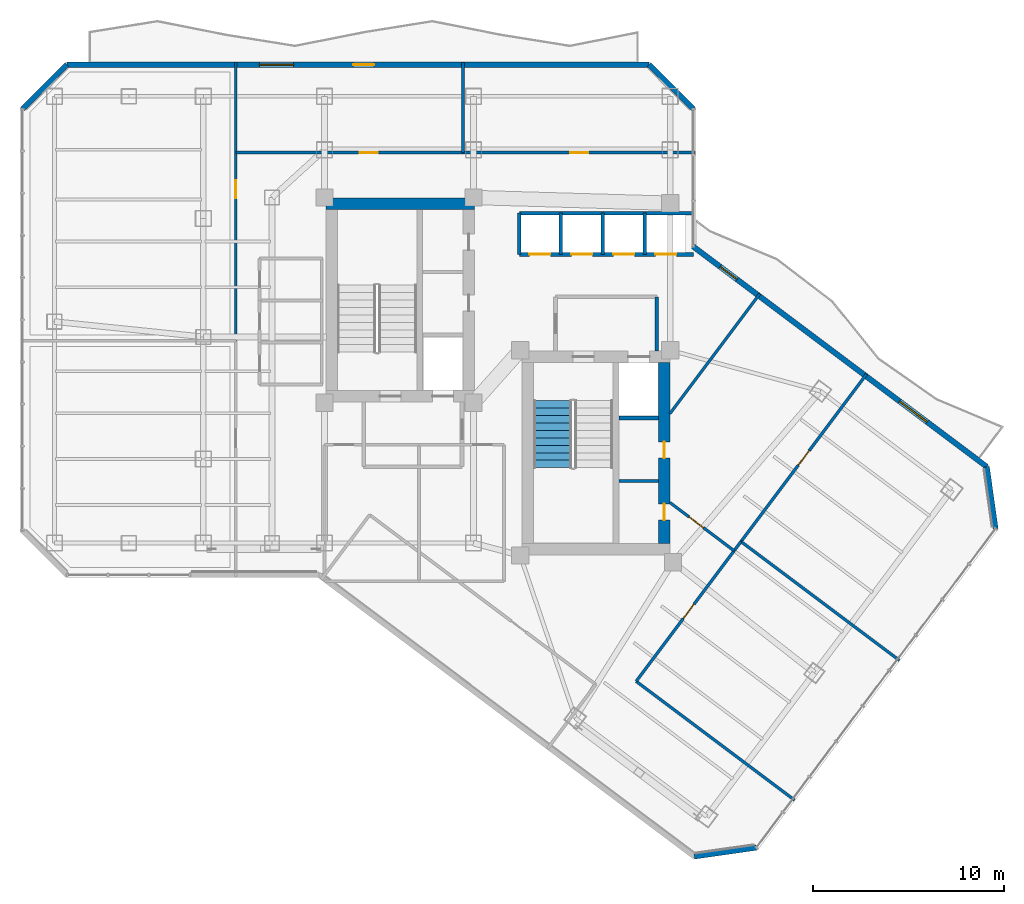
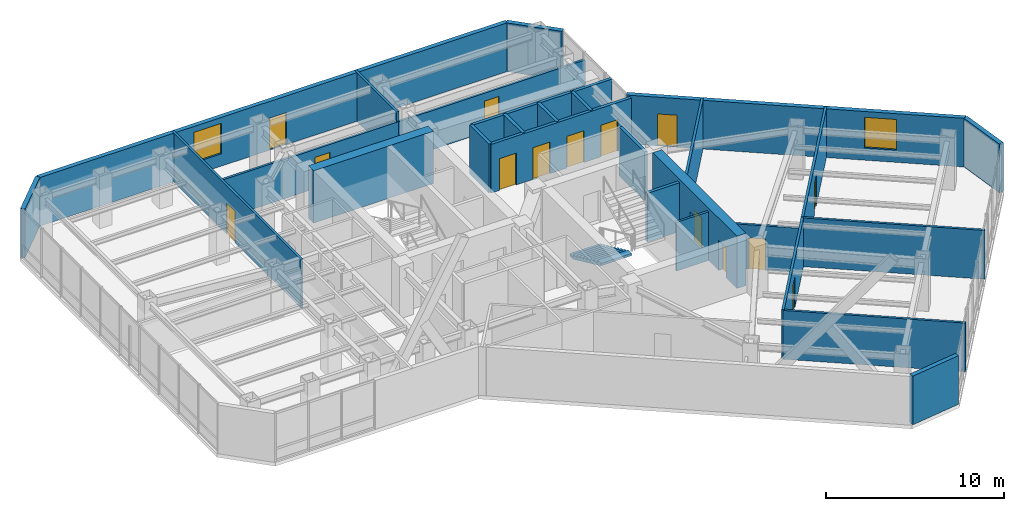
# One storey, part 23 of 27: 27 walls, 14 doors, 2 windows, 1 stair flight, 16 openings, 1 element without a shape of its own.
"""IFC4 building model written with IfcOpenShell, lengths in metres."""

from ifc_helpers import new_model, si_unit, direction, frame, frame_2d, origin, place, context, subcontext, project, spatial, polyline, rectangle, outline, extrude, material, layer, layer_set, type_object, element, fill, aggregate, save


model = new_model("IFC4")

# Units and contexts
model_context = context("Model", 3, precision=1e-05, world=origin(), true_north=direction((0.0, 1.0)))
body_context = subcontext(model_context, "Body", "Model", "MODEL_VIEW")
ifc_project = project(units=[si_unit("LENGTHUNIT", "METRE"), si_unit("AREAUNIT", "SQUARE_METRE"), si_unit("VOLUMEUNIT", "CUBIC_METRE"), si_unit("PLANEANGLEUNIT", "RADIAN"), si_unit("MASSUNIT", "GRAM", prefix="KILO")], contexts=[model_context])

# Site, building, storey
site_placement = place(None, origin())
site = spatial("IfcSite", under=ifc_project, at=site_placement, CompositionType="ELEMENT")
building_placement = place(site_placement, origin())
building = spatial("IfcBuilding", under=site, at=building_placement, Name="Hatsunagi Terrace Concourse", CompositionType="ELEMENT")
storey_placement = place(building_placement, frame((0.0, 0.0, 156.449951171875)))
storey = spatial("IfcBuildingStorey", under=building, at=storey_placement, Name="L41", CompositionType="ELEMENT", Elevation=156.449951171875)

# Wall
ifc_material_1 = material(Name="Concrete Fc48", Category="concrete")
ifc_layer_1 = layer(ifc_material_1, 0.60009765625)
ifc_layer_set_1 = layer_set([ifc_layer_1], Name="CoreShearWall_Fc48_600")
wall_type_1 = type_object("IfcWallType", Name="CoreShearWall_Fc48_600", PredefinedType="SHEAR", material=ifc_layer_set_1)
wall_1_placement = place(storey_placement, frame((25.6201171875, 42.969970703125, 0.0), z_axis=(0.0, 0.0, 1.0), x_axis=(1.0, 0.0, 0.0)))
element("IfcWall", 1, at=wall_1_placement, inside=storey, type_object=wall_type_1, Name="Core A Shear Wall N L41", PredefinedType="SHEAR", context=body_context, shape_type="SweptSolid", body=[
    extrude(rectangle(XDim=7.77978515625, YDim=0.60009765625, at=frame_2d((3.889892578125, 0.0))), origin(), (0.0, 0.0, 1.0), 3.60009765625),
])

# Wall, openings, doors
wall_2_placement = place(storey_placement, frame((43.35009765625, 25.18994140625, 0.0), z_axis=(0.0, 0.0, 1.0), x_axis=(0.0, 1.0, 0.0)))
wall_2 = element("IfcWall", 2, at=wall_2_placement, inside=storey, type_object=wall_type_1, Name="Core B Shear Wall E L41", PredefinedType="SHEAR", context=body_context, shape_type="SweptSolid", body=[
    extrude(rectangle(XDim=9.47998046875, YDim=0.60009765625, at=frame_2d((4.739990234375, 0.0))), origin(), (0.0, 0.0, 1.0), 3.60009765625),
])
opening_1_placement = place(wall_2_placement, frame((1.2099609375, 0.0, 0.0)))
opening_1 = element("IfcOpeningElement", 3, at=opening_1_placement, cuts=wall_2, Name="Opening DR-085", PredefinedType="OPENING", context=body_context, shape_type="SweptSolid", body=[
    extrude(rectangle(XDim=0.85009765625, YDim=2.080078125, at=frame_2d((0.425048828125, 1.0400390625))), frame((0.0, 0.31005859375, 0.0), z_axis=(0.0, -1.0, 0.0), x_axis=(1.0, 0.0, 0.0)), (0.0, 0.0, 1.0), 0.6201171875),
])
opening_2_placement = place(wall_2_placement, frame((4.4599609375, 0.0, 0.0)))
opening_2 = element("IfcOpeningElement", 4, at=opening_2_placement, cuts=wall_2, Name="Opening DR-085", PredefinedType="OPENING", context=body_context, shape_type="SweptSolid", body=[
    extrude(rectangle(XDim=0.85009765625, YDim=2.080078125, at=frame_2d((0.425048828125, 1.0400390625))), frame((0.0, 0.31005859375, 0.0), z_axis=(0.0, -1.0, 0.0), x_axis=(1.0, 0.0, 0.0)), (0.0, 0.0, 1.0), 0.6201171875),
])
ifc_material_2 = material(Name="Painted steel", Category="steel")
door_type_1 = type_object("IfcDoorType", Name="RiserAccessDoor_EI60_850", OperationType="NOTDEFINED", PredefinedType="DOOR", material=ifc_material_2)
door_1_placement = place(opening_1_placement, origin())
door_1 = element("IfcDoor", 5, at=door_1_placement, inside=storey, type_object=door_type_1, Name="Core B Riser Door L41-1", OperationType="SINGLE_SWING_RIGHT", OverallHeight=2.080078125, OverallWidth=0.85009765625, PredefinedType="DOOR", context=body_context, shape_type="SweptSolid", body=[
    extrude(rectangle(XDim=0.85009765625, YDim=2.080078125, at=frame_2d((0.425048828125, 1.0400390625))), frame((0.0, 0.02490234375, 0.0), z_axis=(0.0, -1.0, 0.0), x_axis=(1.0, 0.0, 0.0)), (0.0, 0.0, 1.0), 0.050048828125),
])
fill(opening_1, door_1)
door_2_placement = place(opening_2_placement, origin())
door_2 = element("IfcDoor", 6, at=door_2_placement, inside=storey, type_object=door_type_1, Name="Core B Riser Door L41-2", OperationType="SINGLE_SWING_RIGHT", OverallHeight=2.080078125, OverallWidth=0.85009765625, PredefinedType="DOOR", context=body_context, shape_type="SweptSolid", body=[
    extrude(rectangle(XDim=0.85009765625, YDim=2.080078125, at=frame_2d((0.425048828125, 1.0400390625))), frame((0.0, 0.02490234375, 0.0), z_axis=(0.0, -1.0, 0.0), x_axis=(1.0, 0.0, 0.0)), (0.0, 0.0, 1.0), 0.050048828125),
])
fill(opening_2, door_2)

# Wall
ifc_material_3 = material(Name="Acoustic mineral board", Category="gypsum")
ifc_layer_2 = layer(ifc_material_3, 0.14990234375)
ifc_layer_set_2 = layer_set([ifc_layer_2], Name="PartitionWall_EI60_150")
wall_type_2 = type_object("IfcWallType", Name="PartitionWall_EI60_150", PredefinedType="PARTITIONING", material=ifc_layer_set_2)
wall_3_placement = place(storey_placement, frame((40.969970703125, 28.449951171875, 0.0), z_axis=(0.0, 0.0, 1.0), x_axis=(1.0, 0.0, 0.0)))
element("IfcWall", 7, at=wall_3_placement, inside=storey, type_object=wall_type_2, Name="Interior Partition IW-L41-004", PredefinedType="PARTITIONING", context=body_context, shape_type="SweptSolid", body=[
    extrude(rectangle(XDim=2.080078125, YDim=0.14990234375, at=frame_2d((1.0400390625, 0.0))), origin(), (0.0, 0.0, 1.0), 3.35009765625),
])

# Wall, opening, door
wall_4_placement = place(storey_placement, frame((20.89990234375, 35.800048828125, 0.0), z_axis=(0.0, 0.0, 1.0), x_axis=(0.0, 1.0, 0.0)))
wall_4 = element("IfcWall", 8, at=wall_4_placement, inside=storey, type_object=wall_type_2, Name="Interior Partition IW-L41-034", PredefinedType="PARTITIONING", context=body_context, shape_type="SweptSolid", body=[
    extrude(rectangle(XDim=14.56005859375, YDim=0.14990234375, at=frame_2d((7.280029296875, 0.0))), origin(), (0.0, 0.0, 1.0), 3.35009765625),
])
opening_3_placement = place(wall_4_placement, frame((7.447998046875, 0.0, 0.0)))
opening_3 = element("IfcOpeningElement", 9, at=opening_3_placement, cuts=wall_4, Name="Opening DR-095", PredefinedType="OPENING", context=body_context, shape_type="SweptSolid", body=[
    extrude(rectangle(XDim=0.949951171875, YDim=2.14990234375, at=frame_2d((0.47509765625, 1.074951171875))), frame((0.0, 0.0849609375, 0.0), z_axis=(0.0, -1.0, 0.0), x_axis=(1.0, 0.0, 0.0)), (0.0, 0.0, 1.0), 0.169921875),
])
ifc_material_4 = material(Name="Hardwood timber", Category="wood")
door_type_2 = type_object("IfcDoorType", Name="InteriorSuiteDoor_EI30_950", OperationType="NOTDEFINED", PredefinedType="DOOR", material=ifc_material_4)
door_3_placement = place(opening_3_placement, origin())
door_3 = element("IfcDoor", 10, at=door_3_placement, inside=storey, type_object=door_type_2, Name="Open Plan Office L41-OW2 Door", OperationType="SINGLE_SWING_LEFT", OverallHeight=2.14990234375, OverallWidth=0.949951171875, PredefinedType="DOOR", context=body_context, shape_type="SweptSolid", body=[
    extrude(rectangle(XDim=0.949951171875, YDim=2.14990234375, at=frame_2d((0.47509765625, 1.074951171875))), frame((0.0, 0.02490234375, 0.0), z_axis=(0.0, -1.0, 0.0), x_axis=(1.0, 0.0, 0.0)), (0.0, 0.0, 1.0), 0.050048828125),
])
fill(opening_3, door_3)

wall_5_placement = place(storey_placement, frame((20.89990234375, 45.64990234375, 0.0), z_axis=(0.0, 0.0, 1.0), x_axis=(1.0, 0.0, 0.0)))
wall_5 = element("IfcWall", 11, at=wall_5_placement, inside=storey, type_object=wall_type_2, Name="Interior Partition IW-L41-035", PredefinedType="PARTITIONING", context=body_context, shape_type="SweptSolid", body=[
    extrude(rectangle(XDim=11.900146484375, YDim=0.14990234375, at=frame_2d((5.9501953125, 0.0))), origin(), (0.0, 0.0, 1.0), 2.695068359375),
])
opening_4_placement = place(wall_5_placement, frame((6.493896484375, 0.0, 0.0)))
opening_4 = element("IfcOpeningElement", 12, at=opening_4_placement, cuts=wall_5, Name="Opening DR-095", PredefinedType="OPENING", context=body_context, shape_type="SweptSolid", body=[
    extrude(rectangle(XDim=0.949951171875, YDim=2.14990234375, at=frame_2d((0.47509765625, 1.074951171875))), frame((0.0, 0.0849609375, 0.0), z_axis=(0.0, -1.0, 0.0), x_axis=(1.0, 0.0, 0.0)), (0.0, 0.0, 1.0), 0.169921875),
])
door_4_placement = place(opening_4_placement, origin())
door_4 = element("IfcDoor", 13, at=door_4_placement, inside=storey, type_object=door_type_2, Name="Boardroom L41-ON1 Door", OperationType="SINGLE_SWING_RIGHT", OverallHeight=2.14990234375, OverallWidth=0.949951171875, PredefinedType="DOOR", context=body_context, shape_type="SweptSolid", body=[
    extrude(rectangle(XDim=0.949951171875, YDim=2.14990234375, at=frame_2d((0.47509765625, 1.074951171875))), frame((0.0, 0.02490234375, 0.0), z_axis=(0.0, -1.0, 0.0), x_axis=(1.0, 0.0, 0.0)), (0.0, 0.0, 1.0), 0.050048828125),
])
fill(opening_4, door_4)

# Wall
wall_6_placement = place(storey_placement, frame((32.800048828125, 45.64990234375, 0.0), z_axis=(0.0, 0.0, 1.0), x_axis=(0.0, 1.0, 0.0)))
element("IfcWall", 14, at=wall_6_placement, inside=storey, type_object=wall_type_2, Name="Interior Partition IW-L41-036", PredefinedType="PARTITIONING", context=body_context, shape_type="SweptSolid", body=[
    extrude(rectangle(XDim=4.710205078125, YDim=0.14990234375, at=frame_2d((2.35498046875, 0.0))), origin(), (0.0, 0.0, 1.0), 3.35009765625),
])

# Wall, opening, door
wall_7_placement = place(storey_placement, frame((32.800048828125, 45.64990234375, 0.0), z_axis=(0.0, 0.0, 1.0), x_axis=(1.0, 0.0, 0.0)))
wall_7 = element("IfcWall", 15, at=wall_7_placement, inside=storey, type_object=wall_type_2, Name="Interior Partition IW-L41-037", PredefinedType="PARTITIONING", context=body_context, shape_type="SweptSolid", body=[
    extrude(rectangle(XDim=12.159912109375, YDim=0.14990234375, at=frame_2d((6.080078125, 0.0))), origin(), (0.0, 0.0, 1.0), 2.695068359375),
])
opening_5_placement = place(wall_7_placement, frame((5.60498046875, 0.0, 0.0)))
opening_5 = element("IfcOpeningElement", 16, at=opening_5_placement, cuts=wall_7, Name="Opening DR-095", PredefinedType="OPENING", context=body_context, shape_type="SweptSolid", body=[
    extrude(rectangle(XDim=0.949951171875, YDim=2.14990234375, at=frame_2d((0.47509765625, 1.074951171875))), frame((0.0, 0.0849609375, 0.0), z_axis=(0.0, -1.0, 0.0), x_axis=(1.0, 0.0, 0.0)), (0.0, 0.0, 1.0), 0.169921875),
])
door_5_placement = place(opening_5_placement, origin())
door_5 = element("IfcDoor", 17, at=door_5_placement, inside=storey, type_object=door_type_2, Name="Collaboration Lounge L41-ON2 Door", OperationType="SINGLE_SWING_RIGHT", OverallHeight=2.14990234375, OverallWidth=0.949951171875, PredefinedType="DOOR", context=body_context, shape_type="SweptSolid", body=[
    extrude(rectangle(XDim=0.949951171875, YDim=2.14990234375, at=frame_2d((0.47509765625, 1.074951171875))), frame((0.0, 0.02490234375, 0.0), z_axis=(0.0, -1.0, 0.0), x_axis=(1.0, 0.0, 0.0)), (0.0, 0.0, 1.0), 0.050048828125),
])
fill(opening_5, door_5)

# Walls
for number, where, z_axis, x_axis, name in (
    (18, (41.8701171875, 17.9599609375, 0.0), (0.0, 0.0, 1.0), (0.799991516197, -0.600011311571, 0.0), "Interior Partition IW-L41-038"),
    (19, (47.360107421875, 25.280029296875, 0.0), (0.0, 0.0, 1.0), (0.799991516197, -0.600011311571, 0.0), "Interior Partition IW-L41-039"),
):
    element("IfcWall", number, at=place(storey_placement, frame(where, z_axis=z_axis, x_axis=x_axis)), inside=storey, type_object=wall_type_2, Name=name, PredefinedType="PARTITIONING", context=body_context, shape_type="SweptSolid", body=[
        extrude(rectangle(XDim=10.35986328125, YDim=0.14990234375, at=frame_2d((5.179931640625, 0.0))), origin(), (0.0, 0.0, 1.0), 3.35009765625),
    ])

# Wall, opening, door
wall_8_placement = place(storey_placement, frame((41.8701171875, 17.9599609375, 0.0), z_axis=(0.0, 0.0, 1.0), x_axis=(0.599995730889, 0.800003201816, 0.0)))
wall_8 = element("IfcWall", 20, at=wall_8_placement, inside=storey, type_object=wall_type_2, Name="Interior Partition IW-L41-040", PredefinedType="PARTITIONING", context=body_context, shape_type="SweptSolid", body=[
    extrude(rectangle(XDim=9.150146484375, YDim=0.14990234375, at=frame_2d((4.5751953125, 0.0))), origin(), (0.0, 0.0, 1.0), 3.35009765625),
])
opening_6_placement = place(wall_8_placement, frame((4.10009765625, 0.0, 0.0)))
opening_6 = element("IfcOpeningElement", 21, at=opening_6_placement, cuts=wall_8, Name="Opening DR-095", PredefinedType="OPENING", context=body_context, shape_type="SweptSolid", body=[
    extrude(rectangle(XDim=0.949951171875, YDim=2.14990234375, at=frame_2d((0.47509765625, 1.074951171875))), frame((0.0, 0.0849609375, 0.0), z_axis=(0.0, -1.0, 0.0), x_axis=(1.0, 0.0, 0.0)), (0.0, 0.0, 1.0), 0.169921875),
])
door_6_placement = place(opening_6_placement, origin())
door_6 = element("IfcDoor", 22, at=door_6_placement, inside=storey, type_object=door_type_2, Name="Research Focus Suite L41-OSE1 Door", OperationType="SINGLE_SWING_RIGHT", OverallHeight=2.14990234375, OverallWidth=0.949951171875, PredefinedType="DOOR", context=body_context, shape_type="SweptSolid", body=[
    extrude(rectangle(XDim=0.949951171875, YDim=2.14990234375, at=frame_2d((0.47509765625, 1.074951171875))), frame((0.0, 0.02490234375, 0.0), z_axis=(0.0, -1.0, 0.0), x_axis=(1.0, 0.0, 0.0)), (0.0, 0.0, 1.0), 0.050048828125),
])
fill(opening_6, door_6)

wall_9_placement = place(storey_placement, frame((47.360107421875, 25.280029296875, 0.0), z_axis=(0.0, 0.0, 1.0), x_axis=(0.599992871789, 0.800005346109, 0.0)))
wall_9 = element("IfcWall", 23, at=wall_9_placement, inside=storey, type_object=wall_type_2, Name="Interior Partition IW-L41-041", PredefinedType="PARTITIONING", context=body_context, shape_type="SweptSolid", body=[
    extrude(rectangle(XDim=10.9599609375, YDim=0.14990234375, at=frame_2d((5.47998046875, 0.0))), origin(), (0.0, 0.0, 1.0), 3.35009765625),
])
opening_7_placement = place(wall_9_placement, frame((5.0048828125, 0.0, 0.0)))
opening_7 = element("IfcOpeningElement", 24, at=opening_7_placement, cuts=wall_9, Name="Opening DR-095", PredefinedType="OPENING", context=body_context, shape_type="SweptSolid", body=[
    extrude(rectangle(XDim=0.949951171875, YDim=2.14990234375, at=frame_2d((0.47509765625, 1.074951171875))), frame((0.0, 0.0849609375, 0.0), z_axis=(0.0, -1.0, 0.0), x_axis=(1.0, 0.0, 0.0)), (0.0, 0.0, 1.0), 0.169921875),
])
door_7_placement = place(opening_7_placement, origin())
door_7 = element("IfcDoor", 25, at=door_7_placement, inside=storey, type_object=door_type_2, Name="Research Focus Suite L41-OSE2 Door", OperationType="SINGLE_SWING_RIGHT", OverallHeight=2.14990234375, OverallWidth=0.949951171875, PredefinedType="DOOR", context=body_context, shape_type="SweptSolid", body=[
    extrude(rectangle(XDim=0.949951171875, YDim=2.14990234375, at=frame_2d((0.47509765625, 1.074951171875))), frame((0.0, 0.02490234375, 0.0), z_axis=(0.0, -1.0, 0.0), x_axis=(1.0, 0.0, 0.0)), (0.0, 0.0, 1.0), 0.050048828125),
])
fill(opening_7, door_7)

wall_10_placement = place(storey_placement, frame((43.6298828125, 27.327880859375, 0.0), z_axis=(0.0, 0.0, 1.0), x_axis=(0.799972182084, -0.600037088764, 0.0)))
wall_10 = element("IfcWall", 26, at=wall_10_placement, inside=storey, type_object=wall_type_2, Name="Interior Partition IW-L41-042", PredefinedType="PARTITIONING", context=body_context, shape_type="SweptSolid", body=[
    extrude(rectangle(XDim=4.212890625, YDim=0.14990234375, at=frame_2d((2.1064453125, 0.0))), origin(), (0.0, 0.0, 1.0), 3.045166015625),
])
opening_8_placement = place(wall_10_placement, frame((1.256103515625, 0.0, 0.0)))
opening_8 = element("IfcOpeningElement", 27, at=opening_8_placement, cuts=wall_10, Name="Opening DR-095", PredefinedType="OPENING", context=body_context, shape_type="SweptSolid", body=[
    extrude(rectangle(XDim=0.949951171875, YDim=2.14990234375, at=frame_2d((0.47509765625, 1.074951171875))), frame((0.0, 0.0849609375, 0.0), z_axis=(0.0, -1.0, 0.0), x_axis=(1.0, 0.0, 0.0)), (0.0, 0.0, 1.0), 0.169921875),
])
door_8_placement = place(opening_8_placement, origin())
door_8 = element("IfcDoor", 28, at=door_8_placement, inside=storey, type_object=door_type_2, Name="Collaboration Lounge L41-OSEN0 Door", OperationType="SINGLE_SWING_LEFT", OverallHeight=2.14990234375, OverallWidth=0.949951171875, PredefinedType="DOOR", context=body_context, shape_type="SweptSolid", body=[
    extrude(rectangle(XDim=0.949951171875, YDim=2.14990234375, at=frame_2d((0.47509765625, 1.074951171875))), frame((0.0, 0.02490234375, 0.0), z_axis=(0.0, -1.0, 0.0), x_axis=(1.0, 0.0, 0.0)), (0.0, 0.0, 1.0), 0.050048828125),
])
fill(opening_8, door_8)

# Walls
wall_11_placement = place(storey_placement, frame((43.6298828125, 31.972900390625, 0.0), z_axis=(0.0, 0.0, 1.0), x_axis=(0.599975099311, 0.800018674911, 0.0)))
element("IfcWall", 29, at=wall_11_placement, inside=storey, type_object=wall_type_2, Name="Interior Partition IW-L41-043", PredefinedType="PARTITIONING", context=body_context, shape_type="SweptSolid", body=[
    extrude(rectangle(XDim=7.84375, YDim=0.14990234375, at=frame_2d((3.921875, 0.0))), origin(), (0.0, 0.0, 1.0), 3.35009765625),
])
ifc_material_5 = material(Name="Acoustic mineral board", Category="gypsum")
ifc_layer_3 = layer(ifc_material_5, 0.199951171875)
ifc_layer_set_3 = layer_set([ifc_layer_3], Name="ShaftWall_EI120_200")
wall_type_3 = type_object("IfcWallType", Name="ShaftWall_EI120_200", PredefinedType="STANDARD", material=ifc_layer_set_3)
wall_12_placement = place(storey_placement, frame((40.969970703125, 31.760009765625, 0.0), z_axis=(0.0, 0.0, 1.0), x_axis=(1.0, 0.0, 0.0)))
element("IfcWall", 30, at=wall_12_placement, inside=storey, type_object=wall_type_3, Name="Interior Partition IW-L41-003", PredefinedType="STANDARD", context=body_context, shape_type="SweptSolid", body=[
    extrude(rectangle(XDim=2.080078125, YDim=0.199951171875, at=frame_2d((1.0400390625, 0.0))), origin(), (0.0, 0.0, 1.0), 3.35009765625),
])
wall_13_placement = place(storey_placement, frame((42.949951171875, 35.27001953125, 0.0), z_axis=(0.0, 0.0, 1.0), x_axis=(0.0, 1.0, 0.0)))
element("IfcWall", 31, at=wall_13_placement, inside=storey, type_object=wall_type_3, Name="Interior Partition IW-L41-009", PredefinedType="STANDARD", context=body_context, shape_type="SweptSolid", body=[
    extrude(rectangle(XDim=2.830078125, YDim=0.199951171875, at=frame_2d((1.4150390625, 0.0))), origin(), (0.0, 0.0, 1.0), 3.35009765625),
])
wall_14_placement = place(storey_placement, frame((35.75, 42.47998046875, 0.0), z_axis=(0.0, 0.0, 1.0), x_axis=(1.0, 0.0, 0.0)))
element("IfcWall", 32, at=wall_14_placement, inside=storey, type_object=wall_type_3, Name="Interior Partition IW-L41-011", PredefinedType="STANDARD", context=body_context, shape_type="SweptSolid", body=[
    extrude(rectangle(XDim=9.110107421875, YDim=0.199951171875, at=frame_2d((4.55517578125, 0.0))), origin(), (0.0, 0.0, 1.0), 3.35009765625),
])
for number, where, z_axis, x_axis, name in (
    (33, (35.75, 40.320068359375, 0.0), (0.0, 0.0, 1.0), (0.0, 1.0, 0.0), "Interior Partition IW-L41-012"),
    (34, (37.919921875, 40.320068359375, 0.0), (0.0, 0.0, 1.0), (0.0, 1.0, 0.0), "Interior Partition IW-L41-013"),
    (35, (40.1201171875, 40.320068359375, 0.0), (0.0, 0.0, 1.0), (0.0, 1.0, 0.0), "Interior Partition IW-L41-014"),
    (36, (42.320068359375, 40.320068359375, 0.0), (0.0, 0.0, 1.0), (0.0, 1.0, 0.0), "Interior Partition IW-L41-015"),
):
    element("IfcWall", number, at=place(storey_placement, frame(where, z_axis=z_axis, x_axis=x_axis)), inside=storey, type_object=wall_type_3, Name=name, PredefinedType="STANDARD", context=body_context, shape_type="SweptSolid", body=[
        extrude(rectangle(XDim=2.159912109375, YDim=0.199951171875, at=frame_2d((1.080078125, 0.0))), origin(), (0.0, 0.0, 1.0), 3.35009765625),
    ])

# Wall, openings, doors
wall_15_placement = place(storey_placement, frame((35.75, 40.320068359375, 0.0), z_axis=(0.0, 0.0, 1.0), x_axis=(1.0, 0.0, 0.0)))
wall_15 = element("IfcWall", 37, at=wall_15_placement, inside=storey, type_object=wall_type_3, Name="Interior Partition IW-L41-016", PredefinedType="STANDARD", context=body_context, shape_type="SweptSolid", body=[
    extrude(rectangle(XDim=9.110107421875, YDim=0.199951171875, at=frame_2d((4.55517578125, 0.0))), origin(), (0.0, 0.0, 1.0), 3.35009765625),
])
opening_9_placement = place(wall_15_placement, frame((0.530029296875, 0.0, 0.0)))
opening_9 = element("IfcOpeningElement", 38, at=opening_9_placement, cuts=wall_15, Name="Opening LD-04", PredefinedType="OPENING", context=body_context, shape_type="SweptSolid", body=[
    extrude(rectangle(XDim=1.10009765625, YDim=2.179931640625, at=frame_2d((0.550048828125, 1.08984375))), frame((0.0, 0.10986328125, 0.0), z_axis=(0.0, -1.0, 0.0), x_axis=(1.0, 0.0, 0.0)), (0.0, 0.0, 1.0), 0.219970703125),
])
opening_10_placement = place(wall_15_placement, frame((2.72998046875, 0.0, 0.0)))
opening_10 = element("IfcOpeningElement", 39, at=opening_10_placement, cuts=wall_15, Name="Opening LD-04", PredefinedType="OPENING", context=body_context, shape_type="SweptSolid", body=[
    extrude(rectangle(XDim=1.10009765625, YDim=2.179931640625, at=frame_2d((0.550048828125, 1.08984375))), frame((0.0, 0.10986328125, 0.0), z_axis=(0.0, -1.0, 0.0), x_axis=(1.0, 0.0, 0.0)), (0.0, 0.0, 1.0), 0.219970703125),
])
opening_11_placement = place(wall_15_placement, frame((4.929931640625, 0.0, 0.0)))
opening_11 = element("IfcOpeningElement", 40, at=opening_11_placement, cuts=wall_15, Name="Opening LD-04", PredefinedType="OPENING", context=body_context, shape_type="SweptSolid", body=[
    extrude(rectangle(XDim=1.10009765625, YDim=2.179931640625, at=frame_2d((0.550048828125, 1.08984375))), frame((0.0, 0.10986328125, 0.0), z_axis=(0.0, -1.0, 0.0), x_axis=(1.0, 0.0, 0.0)), (0.0, 0.0, 1.0), 0.219970703125),
])
opening_12_placement = place(wall_15_placement, frame((7.1298828125, 0.0, 0.0)))
opening_12 = element("IfcOpeningElement", 41, at=opening_12_placement, cuts=wall_15, Name="Opening LD-04", PredefinedType="OPENING", context=body_context, shape_type="SweptSolid", body=[
    extrude(rectangle(XDim=1.10009765625, YDim=2.179931640625, at=frame_2d((0.550048828125, 1.08984375))), frame((0.0, 0.10986328125, 0.0), z_axis=(0.0, -1.0, 0.0), x_axis=(1.0, 0.0, 0.0)), (0.0, 0.0, 1.0), 0.219970703125),
])
ifc_material_6 = material(Name="Stainless steel", Category="steel")
door_type_3 = type_object("IfcDoorType", Name="LiftLandingDoor_LD04", OperationType="SLIDING_TO_RIGHT", PredefinedType="USERDEFINED", material=ifc_material_6)
door_9_placement = place(opening_9_placement, origin())
door_9 = element("IfcDoor", 42, at=door_9_placement, inside=storey, type_object=door_type_3, Name="Lift landing door PL-05 L41", ObjectType="SLIDING_LANDING_DOOR", OperationType="SLIDING_TO_RIGHT", OverallHeight=2.179931640625, OverallWidth=1.10009765625, PredefinedType="USERDEFINED", context=body_context, shape_type="SweptSolid", body=[
    extrude(rectangle(XDim=1.10009765625, YDim=2.179931640625, at=frame_2d((0.550048828125, 1.08984375))), frame((0.0, 0.02490234375, 0.0), z_axis=(0.0, -1.0, 0.0), x_axis=(1.0, 0.0, 0.0)), (0.0, 0.0, 1.0), 0.050048828125),
])
fill(opening_9, door_9)
door_10_placement = place(opening_10_placement, origin())
door_10 = element("IfcDoor", 43, at=door_10_placement, inside=storey, type_object=door_type_3, Name="Lift landing door PL-06 L41", ObjectType="SLIDING_LANDING_DOOR", OperationType="SLIDING_TO_RIGHT", OverallHeight=2.179931640625, OverallWidth=1.10009765625, PredefinedType="USERDEFINED", context=body_context, shape_type="SweptSolid", body=[
    extrude(rectangle(XDim=1.10009765625, YDim=2.179931640625, at=frame_2d((0.550048828125, 1.08984375))), frame((0.0, 0.02490234375, 0.0), z_axis=(0.0, -1.0, 0.0), x_axis=(1.0, 0.0, 0.0)), (0.0, 0.0, 1.0), 0.050048828125),
])
fill(opening_10, door_10)
door_11_placement = place(opening_11_placement, origin())
door_11 = element("IfcDoor", 44, at=door_11_placement, inside=storey, type_object=door_type_3, Name="Lift landing door PL-07 L41", ObjectType="SLIDING_LANDING_DOOR", OperationType="SLIDING_TO_RIGHT", OverallHeight=2.179931640625, OverallWidth=1.10009765625, PredefinedType="USERDEFINED", context=body_context, shape_type="SweptSolid", body=[
    extrude(rectangle(XDim=1.10009765625, YDim=2.179931640625, at=frame_2d((0.550048828125, 1.08984375))), frame((0.0, 0.02490234375, 0.0), z_axis=(0.0, -1.0, 0.0), x_axis=(1.0, 0.0, 0.0)), (0.0, 0.0, 1.0), 0.050048828125),
])
fill(opening_11, door_11)
door_12_placement = place(opening_12_placement, origin())
door_12 = element("IfcDoor", 45, at=door_12_placement, inside=storey, type_object=door_type_3, Name="Lift landing door PL-08 L41", ObjectType="SLIDING_LANDING_DOOR", OperationType="SLIDING_TO_RIGHT", OverallHeight=2.179931640625, OverallWidth=1.10009765625, PredefinedType="USERDEFINED", context=body_context, shape_type="SweptSolid", body=[
    extrude(rectangle(XDim=1.10009765625, YDim=2.179931640625, at=frame_2d((0.550048828125, 1.08984375))), frame((0.0, 0.02490234375, 0.0), z_axis=(0.0, -1.0, 0.0), x_axis=(1.0, 0.0, 0.0)), (0.0, 0.0, 1.0), 0.050048828125),
])
fill(opening_12, door_12)

# Wall, openings, door, window
ifc_material_7 = material(Name="Autoclaved Lightweight Concrete and Terracotta Cladding", Category="masonry")
ifc_layer_4 = layer(ifc_material_7, 0.280029296875)
ifc_layer_set_4 = layer_set([ifc_layer_4], Name="TerracottaSpandrelWall_280")
wall_type_4 = type_object("IfcWallType", Name="TerracottaSpandrelWall_280", PredefinedType="STANDARD", material=ifc_layer_set_4)
wall_16_placement = place(storey_placement, frame((44.860107421875, 40.72998046875, 0.0), z_axis=(0.0, 0.0, 1.0), x_axis=(0.800007624502, -0.599989833863, 0.0)))
wall_16 = element("IfcWall", 46, at=wall_16_placement, inside=storey, type_object=wall_type_4, Name="Exterior Spandrel Wall EW-L41-01", PredefinedType="STANDARD", context=body_context, shape_type="SweptSolid", body=[
    extrude(rectangle(XDim=19.212158203125, YDim=0.280029296875, at=frame_2d((9.60595703125, 0.0))), origin(), (0.0, 0.0, 1.0), 3.35009765625),
])
opening_13_placement = place(wall_16_placement, frame((1.7548828125, 0.0, 0.0)))
opening_13 = element("IfcOpeningElement", 47, at=opening_13_placement, cuts=wall_16, Name="Opening BD-01", PredefinedType="OPENING", context=body_context, shape_type="SweptSolid", body=[
    extrude(rectangle(XDim=1.10009765625, YDim=2.199951171875, at=frame_2d((0.550048828125, 1.10009765625))), frame((0.0, 0.14990234375, 0.0), z_axis=(0.0, -1.0, 0.0), x_axis=(1.0, 0.0, 0.0)), (0.0, 0.0, 1.0), 0.300048828125),
])
opening_14_placement = place(wall_16_placement, frame((13.509033203125, 0.0, 0.85009765625)))
opening_14 = element("IfcOpeningElement", 48, at=opening_14_placement, cuts=wall_16, Name="Opening WIN-03", PredefinedType="OPENING", context=body_context, shape_type="SweptSolid", body=[
    extrude(rectangle(XDim=1.800048828125, YDim=2.10009765625, at=frame_2d((0.89990234375, 1.050048828125))), frame((0.0, 0.14990234375, 0.0), z_axis=(0.0, -1.0, 0.0), x_axis=(1.0, 0.0, 0.0)), (0.0, 0.0, 1.0), 0.300048828125),
])
ifc_material_8 = material(Name="Galvanised Steel and Laminated Safety Glass", Category="steel")
door_type_4 = type_object("IfcDoorType", Name="BalconyTerraceAccessDoor_1100x2200", OperationType="SINGLE_SWING_LEFT", PredefinedType="DOOR", material=ifc_material_8)
door_13_placement = place(opening_13_placement, origin())
door_13 = element("IfcDoor", 49, at=door_13_placement, inside=storey, type_object=door_type_4, Name="Engawa Balcony Door L41-BSE", OperationType="SINGLE_SWING_LEFT", OverallHeight=2.199951171875, OverallWidth=1.10009765625, PredefinedType="DOOR", context=body_context, shape_type="SweptSolid", body=[
    extrude(rectangle(XDim=1.10009765625, YDim=2.199951171875, at=frame_2d((0.550048828125, 1.10009765625))), frame((0.0, 0.02490234375, 0.0), z_axis=(0.0, -1.0, 0.0), x_axis=(1.0, 0.0, 0.0)), (0.0, 0.0, 1.0), 0.050048828125),
])
fill(opening_13, door_13)
ifc_material_9 = material(Name="Thermally Broken Aluminium and Low-E Triple Glazing", Category="aluminium")
window_type = type_object("IfcWindowType", Name="OfficeCornerFeatureWindow_1800x2100", PartitioningType="SINGLE_PANEL", PredefinedType="WINDOW", material=ifc_material_9)
window_1_placement = place(opening_14_placement, origin())
window_1 = element("IfcWindow", 50, at=window_1_placement, inside=storey, type_object=window_type, Name="Balcony Daylighting Window L41-01-2", OverallHeight=2.10009765625, OverallWidth=1.800048828125, PartitioningType="SINGLE_PANEL", PredefinedType="WINDOW", context=body_context, shape_type="SweptSolid", body=[
    extrude(rectangle(XDim=1.800048828125, YDim=2.10009765625, at=frame_2d((0.89990234375, 1.050048828125))), frame((0.0, 0.030029296875, 0.0), z_axis=(0.0, -1.0, 0.0), x_axis=(1.0, 0.0, 0.0)), (0.0, 0.0, 1.0), 0.06005859375),
])
fill(opening_14, window_1)

# Walls
wall_17_placement = place(storey_placement, frame((60.22998046875, 29.202880859375, 0.0), z_axis=(0.0, 0.0, 1.0), x_axis=(0.141296221922, -0.989967361922, 0.0)))
element("IfcWall", 51, at=wall_17_placement, inside=storey, type_object=wall_type_4, Name="Exterior Spandrel Wall EW-L41-02", PredefinedType="STANDARD", context=body_context, shape_type="SweptSolid", body=[
    extrude(rectangle(XDim=3.27783203125, YDim=0.280029296875, at=frame_2d((1.638916015625, 0.0))), origin(), (0.0, 0.0, 1.0), 3.35009765625),
])
wall_18_placement = place(storey_placement, frame((48.1630859375, 9.25, 0.0), z_axis=(0.0, 0.0, 1.0), x_axis=(-0.989979263428, -0.141212810973, 0.0)))
element("IfcWall", 52, at=wall_18_placement, inside=storey, type_object=wall_type_4, Name="Exterior Spandrel Wall EW-L41-04", PredefinedType="STANDARD", context=body_context, shape_type="SweptSolid", body=[
    extrude(rectangle(XDim=3.278076171875, YDim=0.280029296875, at=frame_2d((1.63916015625, 0.0))), origin(), (0.0, 0.0, 1.0), 3.35009765625),
])
wall_19_placement = place(storey_placement, frame((9.739990234375, 47.94189453125, 0.0), z_axis=(0.0, 0.0, 1.0), x_axis=(0.707106781187, 0.707106781187, 0.0)))
element("IfcWall", 53, at=wall_19_placement, inside=storey, type_object=wall_type_4, Name="Exterior Spandrel Wall EW-L41-10", PredefinedType="STANDARD", context=body_context, shape_type="SweptSolid", body=[
    extrude(rectangle(XDim=3.2783203125, YDim=0.280029296875, at=frame_2d((1.63916015625, 0.0))), origin(), (0.0, 0.0, 1.0), 3.35009765625),
])

# Wall, openings, door, window
wall_20_placement = place(storey_placement, frame((12.05810546875, 50.260009765625, 0.0), z_axis=(0.0, 0.0, 1.0), x_axis=(1.0, 0.0, 0.0)))
wall_20 = element("IfcWall", 54, at=wall_20_placement, inside=storey, type_object=wall_type_4, Name="Exterior Spandrel Wall EW-L41-11", PredefinedType="STANDARD", context=body_context, shape_type="SweptSolid", body=[
    extrude(rectangle(XDim=30.48388671875, YDim=0.280029296875, at=frame_2d((15.241943359375, 0.0))), origin(), (0.0, 0.0, 1.0), 3.35009765625),
])
opening_15_placement = place(wall_20_placement, frame((14.991943359375, 0.0, 0.0)))
opening_15 = element("IfcOpeningElement", 55, at=opening_15_placement, cuts=wall_20, Name="Opening BD-01", PredefinedType="OPENING", context=body_context, shape_type="SweptSolid", body=[
    extrude(rectangle(XDim=1.10009765625, YDim=2.199951171875, at=frame_2d((0.550048828125, 1.10009765625))), frame((0.0, 0.14990234375, 0.0), z_axis=(0.0, -1.0, 0.0), x_axis=(1.0, 0.0, 0.0)), (0.0, 0.0, 1.0), 0.300048828125),
])
opening_16_placement = place(wall_20_placement, frame((10.073974609375, 0.0, 0.85009765625)))
opening_16 = element("IfcOpeningElement", 56, at=opening_16_placement, cuts=wall_20, Name="Opening WIN-03", PredefinedType="OPENING", context=body_context, shape_type="SweptSolid", body=[
    extrude(rectangle(XDim=1.800048828125, YDim=2.10009765625, at=frame_2d((0.89990234375, 1.050048828125))), frame((0.0, 0.14990234375, 0.0), z_axis=(0.0, -1.0, 0.0), x_axis=(1.0, 0.0, 0.0)), (0.0, 0.0, 1.0), 0.300048828125),
])
door_14_placement = place(opening_15_placement, origin())
door_14 = element("IfcDoor", 57, at=door_14_placement, inside=storey, type_object=door_type_4, Name="Engawa Balcony Door L41-BN", OperationType="SINGLE_SWING_RIGHT", OverallHeight=2.199951171875, OverallWidth=1.10009765625, PredefinedType="DOOR", context=body_context, shape_type="SweptSolid", body=[
    extrude(rectangle(XDim=1.10009765625, YDim=2.199951171875, at=frame_2d((0.550048828125, 1.10009765625))), frame((0.0, 0.02490234375, 0.0), z_axis=(0.0, -1.0, 0.0), x_axis=(1.0, 0.0, 0.0)), (0.0, 0.0, 1.0), 0.050048828125),
])
fill(opening_15, door_14)
window_2_placement = place(opening_16_placement, origin())
window_2 = element("IfcWindow", 58, at=window_2_placement, inside=storey, type_object=window_type, Name="Balcony Daylighting Window L41-11-1", OverallHeight=2.10009765625, OverallWidth=1.800048828125, PartitioningType="SINGLE_PANEL", PredefinedType="WINDOW", context=body_context, shape_type="SweptSolid", body=[
    extrude(rectangle(XDim=1.800048828125, YDim=2.10009765625, at=frame_2d((0.89990234375, 1.050048828125))), frame((0.0, 0.030029296875, 0.0), z_axis=(0.0, -1.0, 0.0), x_axis=(1.0, 0.0, 0.0)), (0.0, 0.0, 1.0), 0.06005859375),
])
fill(opening_16, window_2)

# Wall
wall_21_placement = place(storey_placement, frame((42.5419921875, 50.260009765625, 0.0), z_axis=(0.0, 0.0, 1.0), x_axis=(0.707106781187, -0.707106781187, 0.0)))
element("IfcWall", 59, at=wall_21_placement, inside=storey, type_object=wall_type_4, Name="Exterior Spandrel Wall EW-L41-12", PredefinedType="STANDARD", context=body_context, shape_type="SweptSolid", body=[
    extrude(rectangle(XDim=3.2783203125, YDim=0.280029296875, at=frame_2d((1.63916015625, 0.0))), origin(), (0.0, 0.0, 1.0), 3.35009765625),
])

# Stair, stair flight
ifc_material_10 = material(Name="Concrete Fc42", Category="concrete")
stair_type = type_object("IfcStairType", Name="DoglegExitStair_Tower2000_20R_180", PredefinedType="HALF_TURN_STAIR", material=ifc_material_10)
stair_placement = place(storey_placement, origin())
stair = element("IfcStair", 60, at=stair_placement, inside=storey, type_object=stair_type, Name="L41 Core B Protected Exit Stair ST-B", PredefinedType="HALF_TURN_STAIR")
ifc_material_11 = material(Name="Concrete Fc42", Category="concrete")
stair_flight_type = type_object("IfcStairFlightType", Name="DoglegStairFlight_Tower2000_20R_180", PredefinedType="STRAIGHT", material=ifc_material_11)
stair_flight_placement = place(storey_placement, frame((37.5, 32.659912109375, 0.0), z_axis=(0.0, 0.0, 1.0), x_axis=(0.0, -1.0, 0.0)))
stair_flight = element("IfcStairFlight", 61, at=stair_flight_placement, type_object=stair_flight_type, Name="ST-B flight 1", NumberOfRisers=10, NumberOfTreads=9, PredefinedType="STRAIGHT", RiserHeight=0.18, TreadLength=0.39, context=body_context, shape_type="SweptSolid", body=[
    extrude(outline(polyline([(0.0, 0.0), (0.0, 0.179931640625), (0.389892578125, 0.179931640625), (0.389892578125, 0.360107421875), (0.780029296875, 0.360107421875), (0.780029296875, 0.5400390625), (1.169921875, 0.5400390625), (1.169921875, 0.719970703125), (1.56005859375, 0.719970703125), (1.56005859375, 0.89990234375), (1.949951171875, 0.89990234375), (1.949951171875, 1.080078125), (2.340087890625, 1.080078125), (2.340087890625, 1.260009765625), (2.72998046875, 1.260009765625), (2.72998046875, 1.43994140625), (3.1201171875, 1.43994140625), (3.1201171875, 1.6201171875), (3.510009765625, 1.6201171875), (3.510009765625, 1.800048828125), (3.510009765625, 1.454833984375), (0.357666015625, 0.0), (0.0, 0.0)])), frame((0.0, 1.0, 0.0), z_axis=(0.0, -1.0, 0.0), x_axis=(1.0, 0.0, 0.0)), (0.0, 0.0, 1.0), 2.0),
])
aggregate(stair, [stair_flight])

save(model, "model.ifc")
